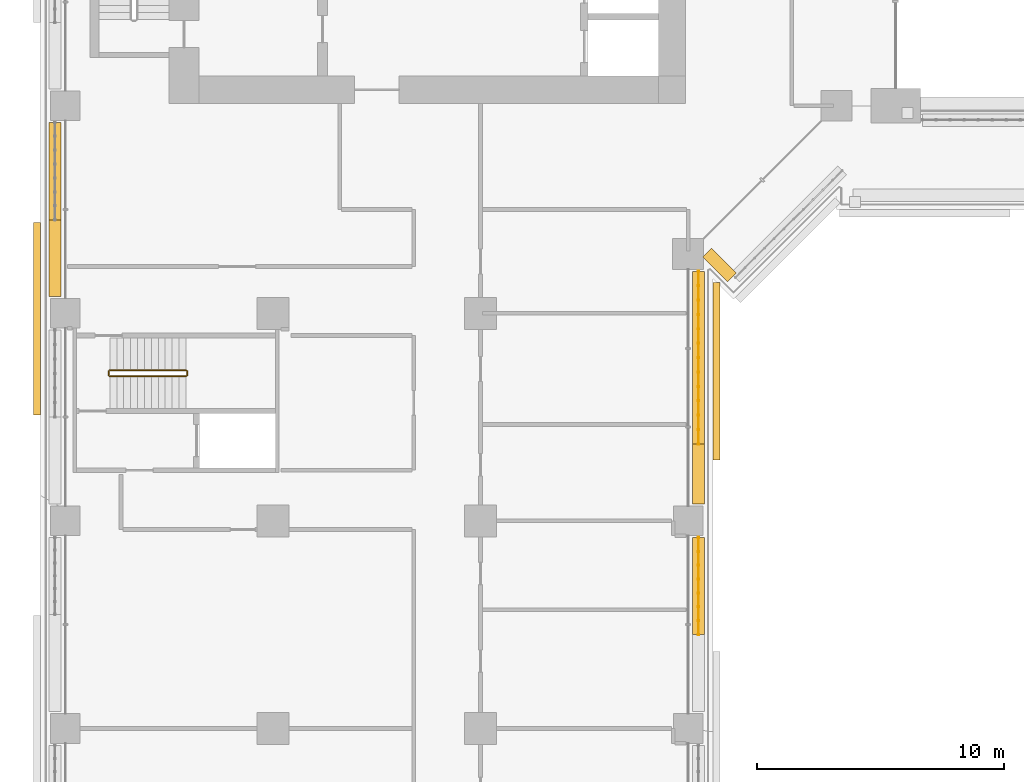
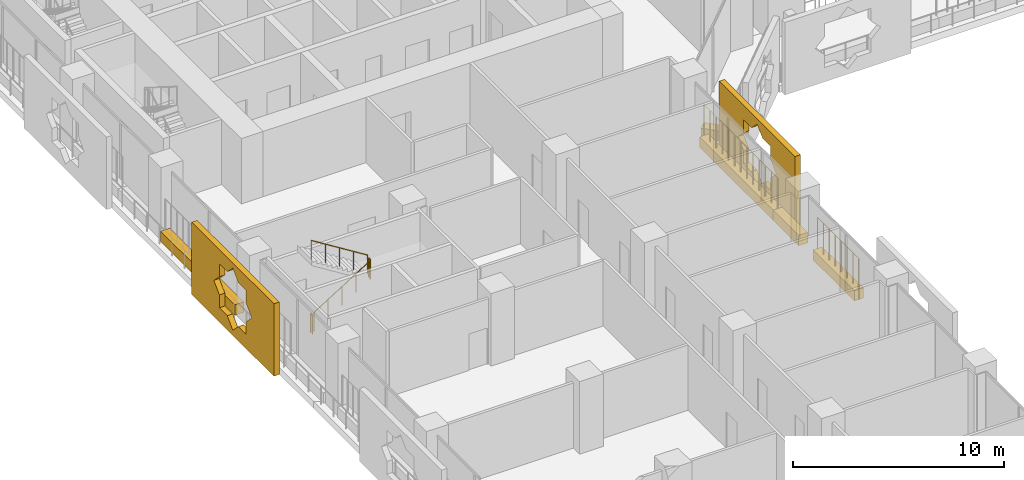
# One storey, part 20 of 28: 8 coverings, 6 railings.
"""IFC4 building model written with IfcOpenShell, lengths in metres."""

from ifc_helpers import new_model, si_unit, direction, frame, origin, origin_2d, place, context, subcontext, project, spatial, polyline, rectangle, circle, outline, extrude, material, material_profile, profile_set, type_object, element, save


model = new_model("IFC4")

# Units and contexts
model_context = context("Model", 3, precision=1e-05, world=origin(), true_north=direction((0.0, 1.0)))
body_context = subcontext(model_context, "Body", "Model", "MODEL_VIEW")
ifc_project = project(units=[si_unit("LENGTHUNIT", "METRE"), si_unit("AREAUNIT", "SQUARE_METRE"), si_unit("VOLUMEUNIT", "CUBIC_METRE"), si_unit("PLANEANGLEUNIT", "RADIAN"), si_unit("MASSUNIT", "GRAM", prefix="KILO")], contexts=[model_context])

# Site, building, storey
site_placement = place(None, origin())
site = spatial("IfcSite", under=ifc_project, at=site_placement, CompositionType="ELEMENT")
building_placement = place(site_placement, origin())
building = spatial("IfcBuilding", under=site, at=building_placement, Name="Kawkab Arch Medical Tower", CompositionType="ELEMENT")
storey_placement = place(building_placement, frame((0.0, 0.0, 47.60009765625)))
storey = spatial("IfcBuildingStorey", under=building, at=storey_placement, Name="L10", CompositionType="ELEMENT", Elevation=47.60009765625)

# Coverings
ifc_material_1 = material(Name="Bronze anodised aluminium mashrabiya panel, eight-point star pattern", Category="aluminium")
ifc_material_profile_1 = material_profile(ifc_material_1, outline(polyline([(-3.60009765625, -2.10009765625), (3.60009765625, -2.10009765625), (3.60009765625, 2.10009765625), (-3.60009765625, 2.10009765625), (-3.60009765625, -2.10009765625)]), holes=[polyline([(1.800048828125, 0.0), (1.272705078125, 0.527099609375), (1.272705078125, 1.272705078125), (0.527099609375, 1.272705078125), (0.0, 1.800048828125), (-0.527099609375, 1.272705078125), (-1.272705078125, 1.272705078125), (-1.272705078125, 0.527099609375), (-1.800048828125, 0.0), (-1.272705078125, -0.527099609375), (-1.272705078125, -1.272705078125), (-0.527099609375, -1.272705078125), (0.0, -1.800048828125), (0.527099609375, -1.272705078125), (1.272705078125, -1.272705078125), (1.272705078125, -0.527099609375), (1.800048828125, 0.0)])]), Name="Mashrabiya panel 7200x4200")
ifc_profile_set_1 = profile_set([ifc_material_profile_1], Name="Bronze anodised aluminium mashrabiya panel, eight-point star pattern")
covering_type_1 = type_object("IfcCoveringType", Name="Mashrabiya panel 7200 x 4200", PredefinedType="USERDEFINED", material=ifc_profile_set_1)
covering_1_placement = place(storey_placement, frame((26.199951171875, -35.944580078125, 1.699951171875), z_axis=(1.0, 0.0, 0.0), x_axis=(0.0, 1.0, 0.0)))
element("IfcCovering", 1, at=covering_1_placement, inside=storey, type_object=covering_type_1, Name="Mashrabiya panel L10.LOG-01-02.14", ObjectType="SCREEN", PredefinedType="USERDEFINED", context=body_context, shape_type="SweptSolid", body=[
    extrude(outline(polyline([(-3.60009765625, -2.10009765625), (3.60009765625, -2.10009765625), (3.60009765625, 2.10009765625), (-3.60009765625, 2.10009765625), (-3.60009765625, -2.10009765625)]), holes=[polyline([(1.800048828125, 0.0), (1.272705078125, 0.527099609375), (1.272705078125, 1.272705078125), (0.527099609375, 1.272705078125), (0.0, 1.800048828125), (-0.527099609375, 1.272705078125), (-1.272705078125, 1.272705078125), (-1.272705078125, 0.527099609375), (-1.800048828125, 0.0), (-1.272705078125, -0.527099609375), (-1.272705078125, -1.272705078125), (-0.527099609375, -1.272705078125), (0.0, -1.800048828125), (0.527099609375, -1.272705078125), (1.272705078125, -1.272705078125), (1.272705078125, -0.527099609375), (1.800048828125, 0.0)])]), origin(), (0.0, 0.0, 1.0), 0.300048828125),
])
ifc_material_2 = material(Name="Bronze anodised aluminium mashrabiya panel, eight-point star pattern", Category="aluminium")
ifc_material_profile_2 = material_profile(ifc_material_2, outline(polyline([(-3.89990234375, -2.10009765625), (3.89990234375, -2.10009765625), (3.89990234375, 2.10009765625), (-3.89990234375, 2.10009765625), (-3.89990234375, -2.10009765625)]), holes=[polyline([(1.800048828125, 0.0), (1.272705078125, 0.527099609375), (1.272705078125, 1.272705078125), (0.527099609375, 1.272705078125), (0.0, 1.800048828125), (-0.527099609375, 1.272705078125), (-1.272705078125, 1.272705078125), (-1.272705078125, 0.527099609375), (-1.800048828125, 0.0), (-1.272705078125, -0.527099609375), (-1.272705078125, -1.272705078125), (-0.527099609375, -1.272705078125), (0.0, -1.800048828125), (0.527099609375, -1.272705078125), (1.272705078125, -1.272705078125), (1.272705078125, -0.527099609375), (1.800048828125, 0.0)])]), Name="Mashrabiya panel 7800x4200")
ifc_profile_set_2 = profile_set([ifc_material_profile_2], Name="Bronze anodised aluminium mashrabiya panel, eight-point star pattern")
covering_type_2 = type_object("IfcCoveringType", Name="Mashrabiya panel 7800 x 4200", PredefinedType="USERDEFINED", material=ifc_profile_set_2)
covering_2_placement = place(storey_placement, frame((-1.0, -33.82470703125, 1.699951171875), z_axis=(-1.0, 0.0, 0.0), x_axis=(0.0, -1.0, 0.0)))
element("IfcCovering", 2, at=covering_2_placement, inside=storey, type_object=covering_type_2, Name="Mashrabiya panel L10.LOG-01-02.2", ObjectType="SCREEN", PredefinedType="USERDEFINED", context=body_context, shape_type="SweptSolid", body=[
    extrude(outline(polyline([(-3.89990234375, -2.10009765625), (3.89990234375, -2.10009765625), (3.89990234375, 2.10009765625), (-3.89990234375, 2.10009765625), (-3.89990234375, -2.10009765625)]), holes=[polyline([(1.800048828125, 0.0), (1.272705078125, 0.527099609375), (1.272705078125, 1.272705078125), (0.527099609375, 1.272705078125), (0.0, 1.800048828125), (-0.527099609375, 1.272705078125), (-1.272705078125, 1.272705078125), (-1.272705078125, 0.527099609375), (-1.800048828125, 0.0), (-1.272705078125, -0.527099609375), (-1.272705078125, -1.272705078125), (-0.527099609375, -1.272705078125), (0.0, -1.800048828125), (0.527099609375, -1.272705078125), (1.272705078125, -1.272705078125), (1.272705078125, -0.527099609375), (1.800048828125, 0.0)])]), origin(), (0.0, 0.0, 1.0), 0.300048828125),
])
ifc_material_3 = material(Name="Planting soil in a precast trough", Category="concrete")
ifc_material_profile_3 = material_profile(ifc_material_3, rectangle(XDim=0.5, YDim=0.60009765625, at=origin_2d()), Name="Trough 500x600")
ifc_profile_set_3 = profile_set([ifc_material_profile_3], Name="Planting soil in a precast trough")
covering_type_3 = type_object("IfcCoveringType", Name="Planter trough 500 x 600", PredefinedType="USERDEFINED", material=ifc_profile_set_3)
covering_3_placement = place(storey_placement, frame((-0.419921875, -32.919921875, 0.2998046875), z_axis=(0.0, 1.0, 0.0), x_axis=(-1.0, 0.0, 0.0)))
element("IfcCovering", 3, at=covering_3_placement, inside=storey, type_object=covering_type_3, Name="Planter L10.LOG-01-02.16", ObjectType="PLANTER", PredefinedType="USERDEFINED", context=body_context, shape_type="SweptSolid", body=[
    extrude(rectangle(XDim=0.5, YDim=0.60009765625, at=origin_2d()), origin(), (0.0, 0.0, 1.0), 3.100830078125),
])
covering_4_placement = place(storey_placement, frame((-0.419921875, -29.819091796875, 0.2998046875), z_axis=(0.0, 1.0, 0.0), x_axis=(-1.0, 0.0, 0.0)))
element("IfcCovering", 4, at=covering_4_placement, inside=storey, type_object=covering_type_3, Name="Planter L10.LOG-01-02.17", ObjectType="PLANTER", PredefinedType="USERDEFINED", context=body_context, shape_type="SweptSolid", body=[
    extrude(rectangle(XDim=0.5, YDim=0.60009765625, at=origin_2d()), origin(), (0.0, 0.0, 1.0), 3.939208984375),
])
covering_5_placement = place(storey_placement, frame((26.967041015625, -32.14697265625, 0.2998046875), z_axis=(-0.707192746389, 0.707020805532, 0.0), x_axis=(-0.707020805532, -0.707192746389, 0.0)))
element("IfcCovering", 5, at=covering_5_placement, inside=storey, type_object=covering_type_3, Name="Planter L10.LOG-01-02.48", ObjectType="PLANTER", PredefinedType="USERDEFINED", context=body_context, shape_type="SweptSolid", body=[
    extrude(rectangle(XDim=0.5, YDim=0.60009765625, at=origin_2d()), origin(), (0.0, 0.0, 1.0), 1.419921875),
])
covering_6_placement = place(storey_placement, frame((25.6201171875, -31.905029296875, 0.2998046875), z_axis=(0.0, -1.0, 0.0), x_axis=(1.0, 0.0, 0.0)))
element("IfcCovering", 6, at=covering_6_placement, inside=storey, type_object=covering_type_3, Name="Planter L10.LOG-01-02.49", ObjectType="PLANTER", PredefinedType="USERDEFINED", context=body_context, shape_type="SweptSolid", body=[
    extrude(rectangle(XDim=0.5, YDim=0.60009765625, at=origin_2d()), origin(), (0.0, 0.0, 1.0), 6.988037109375),
])
covering_7_placement = place(storey_placement, frame((25.6201171875, -38.89306640625, 0.2998046875), z_axis=(0.0, -1.0, 0.0), x_axis=(1.0, 0.0, 0.0)))
element("IfcCovering", 7, at=covering_7_placement, inside=storey, type_object=covering_type_3, Name="Planter L10.LOG-01-02.50", ObjectType="PLANTER", PredefinedType="USERDEFINED", context=body_context, shape_type="SweptSolid", body=[
    extrude(rectangle(XDim=0.5, YDim=0.60009765625, at=origin_2d()), origin(), (0.0, 0.0, 1.0), 2.427001953125),
])
covering_8_placement = place(storey_placement, frame((25.6201171875, -42.679931640625, 0.2998046875), z_axis=(0.0, -1.0, 0.0), x_axis=(1.0, 0.0, 0.0)))
element("IfcCovering", 8, at=covering_8_placement, inside=storey, type_object=covering_type_3, Name="Planter L10.LOG-01-02.51", ObjectType="PLANTER", PredefinedType="USERDEFINED", context=body_context, shape_type="SweptSolid", body=[
    extrude(rectangle(XDim=0.5, YDim=0.60009765625, at=origin_2d()), origin(), (0.0, 0.0, 1.0), 3.921142578125),
])

# Railings
ifc_material_4 = material(Name="Bronze anodised aluminium trellis for climbing plants", Category="aluminium")
railing_type_1 = type_object("IfcRailingType", Name="Planting trellis 2400", PredefinedType="USERDEFINED", material=ifc_material_4)
railing_1_placement = place(storey_placement, frame((25.6201171875, -31.905029296875, 0.0)))
element("IfcRailing", 9, at=railing_1_placement, inside=storey, type_object=railing_type_1, Name="Planting trellis L10.LOG-01-02.49", ObjectType="TRELLIS", PredefinedType="USERDEFINED", context=body_context, shape_type="SweptSolid", body=[
    extrude(circle(Radius=0.01513671875, at=origin_2d()), frame((0.0, 0.0, 2.384765625), z_axis=(0.0, -1.0, 0.0), x_axis=(1.0, 0.0, 0.0)), (0.0, 0.0, 1.0), 6.988037109375),
    extrude(circle(Radius=0.030029296875, at=origin_2d()), origin(), (0.0, 0.0, 1.0), 2.369873046875),
    extrude(circle(Radius=0.030029296875, at=origin_2d()), frame((0.0, -0.582275390625, 0.0)), (0.0, 0.0, 1.0), 2.369873046875),
    extrude(circle(Radius=0.030029296875, at=origin_2d()), frame((0.0, -1.16455078125, 0.0)), (0.0, 0.0, 1.0), 2.369873046875),
    extrude(circle(Radius=0.030029296875, at=origin_2d()), frame((0.0, -1.7470703125, 0.0)), (0.0, 0.0, 1.0), 2.369873046875),
    extrude(circle(Radius=0.030029296875, at=origin_2d()), frame((0.0, -2.329345703125, 0.0)), (0.0, 0.0, 1.0), 2.369873046875),
    extrude(circle(Radius=0.030029296875, at=origin_2d()), frame((0.0, -2.91162109375, 0.0)), (0.0, 0.0, 1.0), 2.369873046875),
    extrude(circle(Radius=0.030029296875, at=origin_2d()), frame((0.0, -3.494140625, 0.0)), (0.0, 0.0, 1.0), 2.369873046875),
    extrude(circle(Radius=0.030029296875, at=origin_2d()), frame((0.0, -4.076416015625, 0.0)), (0.0, 0.0, 1.0), 2.369873046875),
    extrude(circle(Radius=0.030029296875, at=origin_2d()), frame((0.0, -4.65869140625, 0.0)), (0.0, 0.0, 1.0), 2.369873046875),
    extrude(circle(Radius=0.030029296875, at=origin_2d()), frame((0.0, -5.240966796875, 0.0)), (0.0, 0.0, 1.0), 2.369873046875),
    extrude(circle(Radius=0.030029296875, at=origin_2d()), frame((0.0, -5.8232421875, 0.0)), (0.0, 0.0, 1.0), 2.369873046875),
    extrude(circle(Radius=0.030029296875, at=origin_2d()), frame((0.0, -6.40576171875, 0.0)), (0.0, 0.0, 1.0), 2.369873046875),
    extrude(circle(Radius=0.030029296875, at=origin_2d()), frame((0.0, -6.988037109375, 0.0)), (0.0, 0.0, 1.0), 2.369873046875),
])
railing_2_placement = place(storey_placement, frame((25.6201171875, -42.679931640625, 0.0)))
element("IfcRailing", 10, at=railing_2_placement, inside=storey, type_object=railing_type_1, Name="Planting trellis L10.LOG-01-02.51", ObjectType="TRELLIS", PredefinedType="USERDEFINED", context=body_context, shape_type="SweptSolid", body=[
    extrude(circle(Radius=0.01513671875, at=origin_2d()), frame((0.0, 0.0, 2.384765625), z_axis=(0.0, -1.0, 0.0), x_axis=(1.0, 0.0, 0.0)), (0.0, 0.0, 1.0), 3.921142578125),
    extrude(circle(Radius=0.030029296875, at=origin_2d()), origin(), (0.0, 0.0, 1.0), 2.369873046875),
    extrude(circle(Radius=0.030029296875, at=origin_2d()), frame((0.0, -0.56005859375, 0.0)), (0.0, 0.0, 1.0), 2.369873046875),
    extrude(circle(Radius=0.030029296875, at=origin_2d()), frame((0.0, -1.120361328125, 0.0)), (0.0, 0.0, 1.0), 2.369873046875),
    extrude(circle(Radius=0.030029296875, at=origin_2d()), frame((0.0, -1.680419921875, 0.0)), (0.0, 0.0, 1.0), 2.369873046875),
    extrude(circle(Radius=0.030029296875, at=origin_2d()), frame((0.0, -2.24072265625, 0.0)), (0.0, 0.0, 1.0), 2.369873046875),
    extrude(circle(Radius=0.030029296875, at=origin_2d()), frame((0.0, -2.80078125, 0.0)), (0.0, 0.0, 1.0), 2.369873046875),
    extrude(circle(Radius=0.030029296875, at=origin_2d()), frame((0.0, -3.361083984375, 0.0)), (0.0, 0.0, 1.0), 2.369873046875),
    extrude(circle(Radius=0.030029296875, at=origin_2d()), frame((0.0, -3.921142578125, 0.0)), (0.0, 0.0, 1.0), 2.369873046875),
])
ifc_material_5 = material(Name="Stainless steel", Category="steel")
railing_type_2 = type_object("IfcRailingType", Name="Stair guard 1100", PredefinedType="GUARDRAIL", material=ifc_material_5)
railing_3_placement = place(storey_placement, frame((1.800048828125, -36.14990234375, 0.1748046875)))
element("IfcRailing", 11, at=railing_3_placement, inside=storey, type_object=railing_type_2, Name="L10 ST6 stair guard 1", PredefinedType="GUARDRAIL", context=body_context, shape_type="SweptSolid", body=[
    extrude(circle(Radius=0.02392578125, at=origin_2d()), frame((0.0, 0.0, 1.076171875), z_axis=(0.847979421464, 0.0, 0.530029150871), x_axis=(0.0, 1.0, 0.0)), (0.0, 0.0, 1.0), 3.632080078125),
    extrude(circle(Radius=0.02099609375, at=origin_2d()), origin(), (0.0, 0.0, 1.0), 1.052001953125),
    extrude(circle(Radius=0.02099609375, at=origin_2d()), frame((0.77001953125, 0.0, 0.481201171875)), (0.0, 0.0, 1.0), 1.052001953125),
    extrude(circle(Radius=0.02099609375, at=origin_2d()), frame((1.5400390625, 0.0, 0.96240234375)), (0.0, 0.0, 1.0), 1.052001953125),
    extrude(circle(Radius=0.02099609375, at=origin_2d()), frame((2.309814453125, 0.0, 1.44384765625)), (0.0, 0.0, 1.0), 1.052001953125),
    extrude(circle(Radius=0.02099609375, at=origin_2d()), frame((3.079833984375, 0.0, 1.925048828125)), (0.0, 0.0, 1.0), 1.052001953125),
])
railing_4_placement = place(storey_placement, frame((4.929931640625, -36.10009765625, 2.099853515625)))
element("IfcRailing", 12, at=railing_4_placement, inside=storey, type_object=railing_type_2, Name="L10 ST6 stair guard 2", PredefinedType="GUARDRAIL", context=body_context, shape_type="SweptSolid", body=[
    extrude(circle(Radius=0.02392578125, at=origin_2d()), frame((0.0, 0.0, 1.076171875), z_axis=(0.0, 1.0, 0.0), x_axis=(-1.0, 0.0, 0.0)), (0.0, 0.0, 1.0), 0.150146484375),
    extrude(circle(Radius=0.02099609375, at=origin_2d()), origin(), (0.0, 0.0, 1.0), 1.052001953125),
    extrude(circle(Radius=0.02099609375, at=origin_2d()), frame((0.0, 0.150146484375, 0.0)), (0.0, 0.0, 1.0), 1.052001953125),
])
railing_5_placement = place(storey_placement, frame((4.8798828125, -35.89990234375, 2.27490234375)))
element("IfcRailing", 13, at=railing_5_placement, inside=storey, type_object=railing_type_2, Name="L10 ST6 stair guard 3", PredefinedType="GUARDRAIL", context=body_context, shape_type="SweptSolid", body=[
    extrude(circle(Radius=0.02392578125, at=origin_2d()), frame((0.0, 0.0, 1.076171875), z_axis=(-0.847979421464, 0.0, 0.530029150871), x_axis=(0.0, -1.0, 0.0)), (0.0, 0.0, 1.0), 3.632080078125),
    extrude(circle(Radius=0.02099609375, at=origin_2d()), origin(), (0.0, 0.0, 1.0), 1.052001953125),
    extrude(circle(Radius=0.02099609375, at=origin_2d()), frame((-0.77001953125, 0.0, 0.481201171875)), (0.0, 0.0, 1.0), 1.052001953125),
    extrude(circle(Radius=0.02099609375, at=origin_2d()), frame((-1.5400390625, 0.0, 0.96240234375)), (0.0, 0.0, 1.0), 1.052001953125),
    extrude(circle(Radius=0.02099609375, at=origin_2d()), frame((-2.309814453125, 0.0, 1.44384765625)), (0.0, 0.0, 1.0), 1.052001953125),
    extrude(circle(Radius=0.02099609375, at=origin_2d()), frame((-3.079833984375, 0.0, 1.925048828125)), (0.0, 0.0, 1.0), 1.052001953125),
])
railing_6_placement = place(storey_placement, frame((1.75, -36.10009765625, 0.0)))
element("IfcRailing", 14, at=railing_6_placement, inside=storey, type_object=railing_type_2, Name="L10 ST6 stair guard 4", PredefinedType="GUARDRAIL", context=body_context, shape_type="SweptSolid", body=[
    extrude(circle(Radius=0.02392578125, at=origin_2d()), frame((0.0, 0.0, 1.076171875), z_axis=(0.0, 1.0, 0.0), x_axis=(-1.0, 0.0, 0.0)), (0.0, 0.0, 1.0), 0.150146484375),
    extrude(circle(Radius=0.02099609375, at=origin_2d()), origin(), (0.0, 0.0, 1.0), 1.052001953125),
    extrude(circle(Radius=0.02099609375, at=origin_2d()), frame((0.0, 0.150146484375, 0.0)), (0.0, 0.0, 1.0), 1.052001953125),
])

save(model, "model.ifc")
